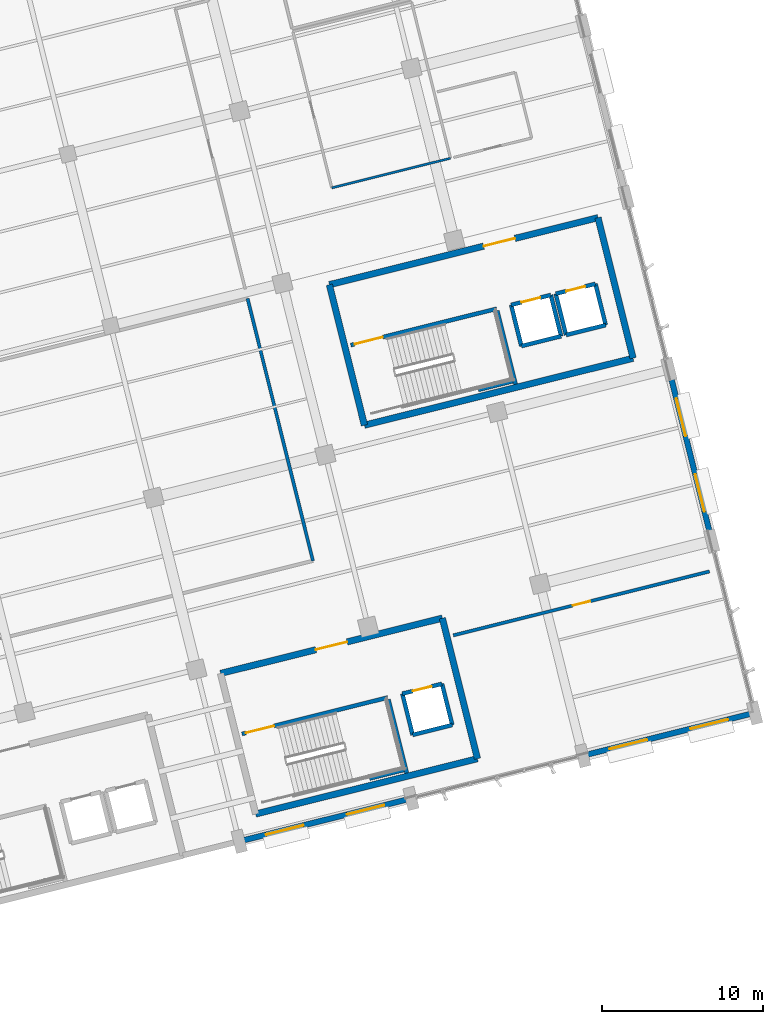
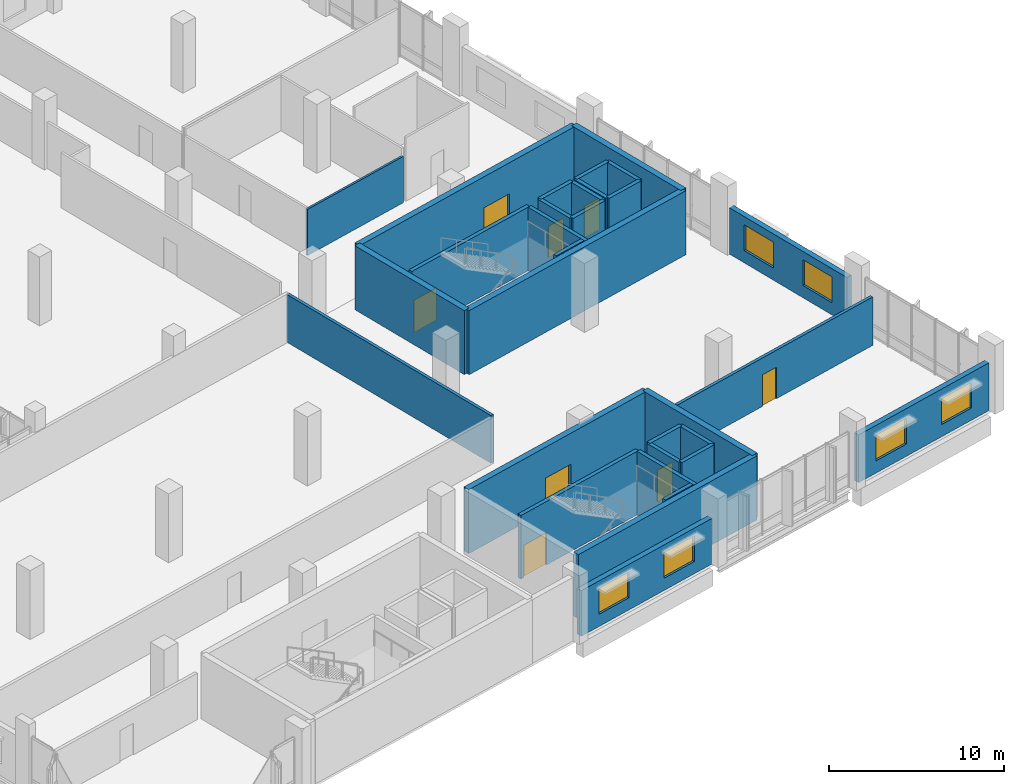
# One storey, part 124 of 137: 31 walls, 8 doors, 6 windows, 14 openings.
"""IFC4 building model written with IfcOpenShell, lengths in metres."""

from ifc_helpers import new_model, si_unit, direction, frame, frame_2d, origin, place, context, subcontext, project, spatial, rectangle, extrude, material, layer, layer_set, type_object, element, fill, save


model = new_model("IFC4")

# Units and contexts
model_context = context("Model", 3, precision=1e-05, world=origin(), true_north=direction((0.0, 1.0)))
body_context = subcontext(model_context, "Body", "Model", "MODEL_VIEW")
ifc_project = project(units=[si_unit("LENGTHUNIT", "METRE"), si_unit("AREAUNIT", "SQUARE_METRE"), si_unit("VOLUMEUNIT", "CUBIC_METRE"), si_unit("PLANEANGLEUNIT", "RADIAN"), si_unit("MASSUNIT", "GRAM", prefix="KILO")], contexts=[model_context])

# Site, building, storey
site_placement = place(None, origin())
site = spatial("IfcSite", under=ifc_project, at=site_placement, CompositionType="ELEMENT")
building_placement = place(site_placement, origin())
building = spatial("IfcBuilding", under=site, at=building_placement, Name="Khorjan Park Terminus", CompositionType="ELEMENT")
storey_placement = place(building_placement, frame((0.0, 0.0, 11.4)))
storey = spatial("IfcBuildingStorey", under=building, at=storey_placement, Name="L02", CompositionType="ELEMENT", Elevation=11.4)

# Walls
ifc_material_1 = material(Name="Concrete C50/60", Category="concrete")
ifc_layer_1 = layer(ifc_material_1, 0.4)
ifc_layer_set_1 = layer_set([ifc_layer_1], Name="Concrete C50/60")
wall_type_1 = type_object("IfcWallType", Name="CW-40", PredefinedType="SHEAR", material=ifc_layer_set_1)
wall_1_placement = place(storey_placement, frame((205.7973, 35.8328, 0.0), z_axis=(0.0, 0.0, 1.0), x_axis=(0.970295179998, 0.241924086589, 0.0)))
element("IfcWall", 1, at=wall_1_placement, inside=storey, type_object=wall_type_1, Name="Operations North-East Firefighting Core concrete shear wall CW-40 (L02-E1)", PredefinedType="SHEAR", context=body_context, shape_type="SweptSolid", body=[
    extrude(rectangle(XDim=17.2, YDim=0.4, at=frame_2d((8.6, 0.0))), origin(), (0.0, 0.0, 1.0), 4.46),
])
wall_2_placement = place(storey_placement, frame((222.4864, 39.9939, 0.0), z_axis=(0.0, 0.0, 1.0), x_axis=(-0.241923808098, 0.970295249435, 0.0)))
element("IfcWall", 2, at=wall_2_placement, inside=storey, type_object=wall_type_1, Name="Operations North-East Firefighting Core concrete shear wall CW-40 (L02-E2)", PredefinedType="SHEAR", context=body_context, shape_type="SweptSolid", body=[
    extrude(rectangle(XDim=8.9999, YDim=0.4, at=frame_2d((4.5, 0.0))), origin(), (0.0, 0.0, 1.0), 4.46),
])

# Wall, opening, door
wall_3_placement = place(storey_placement, frame((220.3091, 48.7265, 0.0), z_axis=(0.0, 0.0, 1.0), x_axis=(-0.970296544738, -0.241918612906, 0.0)))
wall_3 = element("IfcWall", 3, at=wall_3_placement, inside=storey, type_object=wall_type_1, Name="Operations North-East Firefighting Core concrete shear wall CW-40 (L02-E3)", PredefinedType="SHEAR", context=body_context, shape_type="SweptSolid", body=[
    extrude(rectangle(XDim=17.2, YDim=0.4, at=frame_2d((8.6, 0.0))), origin(), (0.0, 0.0, 1.0), 4.46),
])
opening_1_placement = place(wall_3_placement, frame((5.32, 0.0, 0.0)))
opening_1 = element("IfcOpeningElement", 4, at=opening_1_placement, cuts=wall_3, Name="Opening FD-20", PredefinedType="OPENING", context=body_context, shape_type="SweptSolid", body=[
    extrude(rectangle(XDim=2.0, YDim=2.3, at=frame_2d((1.0, 1.15))), frame((0.0, 0.21, 0.0), z_axis=(0.0, -1.0, 0.0), x_axis=(1.0, 0.0, 0.0)), (0.0, 0.0, 1.0), 0.42),
])
ifc_material_2 = material(Name="Fire-Rated Steel Double Door", Category="steel")
door_type_1 = type_object("IfcDoorType", Name="FD-20", OperationType="NOTDEFINED", PredefinedType="DOOR", material=ifc_material_2)
door_1_placement = place(opening_1_placement, origin())
door_1 = element("IfcDoor", 5, at=door_1_placement, inside=storey, type_object=door_type_1, Name="Operations North-East Firefighting Core fire-rated exit door FD-20 (L02)", OperationType="DOUBLE_DOOR_SINGLE_SWING", OverallHeight=2.3, OverallWidth=2.0, PredefinedType="DOOR", context=body_context, shape_type="SweptSolid", body=[
    extrude(rectangle(XDim=2.0, YDim=2.3, at=frame_2d((1.0, 1.15))), frame((0.0, 0.025, 0.0), z_axis=(0.0, -1.0, 0.0), x_axis=(1.0, 0.0, 0.0)), (0.0, 0.0, 1.0), 0.05),
])
fill(opening_1, door_1)

# Walls
wall_4_placement = place(storey_placement, frame((203.62, 44.5655, 0.0), z_axis=(0.0, 0.0, 1.0), x_axis=(0.241921199913, -0.97029589973, 0.0)))
element("IfcWall", 6, at=wall_4_placement, inside=storey, type_object=wall_type_1, Name="Operations North-East Firefighting Core concrete shear wall CW-40 (L02-E4)", PredefinedType="SHEAR", context=body_context, shape_type="SweptSolid", body=[
    extrude(rectangle(XDim=9.0, YDim=0.4, at=frame_2d((4.5, 0.0))), origin(), (0.0, 0.0, 1.0), 4.46),
])
wall_5_placement = place(storey_placement, frame((199.0395, 11.6805, 0.0), z_axis=(0.0, 0.0, 1.0), x_axis=(0.970295578967, 0.241922486422, 0.0)))
element("IfcWall", 7, at=wall_5_placement, inside=storey, type_object=wall_type_1, Name="Operations Central Command Core concrete shear wall CW-40 (L02-E1)", PredefinedType="SHEAR", context=body_context, shape_type="SweptSolid", body=[
    extrude(rectangle(XDim=14.2, YDim=0.4, at=frame_2d((7.1, 0.0))), origin(), (0.0, 0.0, 1.0), 4.46),
])
wall_6_placement = place(storey_placement, frame((212.8177, 15.1158, 0.0), z_axis=(0.0, 0.0, 1.0), x_axis=(-0.241921199913, 0.97029589973, 0.0)))
element("IfcWall", 8, at=wall_6_placement, inside=storey, type_object=wall_type_1, Name="Operations Central Command Core concrete shear wall CW-40 (L02-E2)", PredefinedType="SHEAR", context=body_context, shape_type="SweptSolid", body=[
    extrude(rectangle(XDim=9.0, YDim=0.4, at=frame_2d((4.5, 0.0))), origin(), (0.0, 0.0, 1.0), 4.46),
])

# Wall, opening, door
wall_7_placement = place(storey_placement, frame((210.6404, 23.8485, 0.0), z_axis=(0.0, 0.0, 1.0), x_axis=(-0.970295578967, -0.241922486422, 0.0)))
wall_7 = element("IfcWall", 9, at=wall_7_placement, inside=storey, type_object=wall_type_1, Name="Operations Central Command Core concrete shear wall CW-40 (L02-E3)", PredefinedType="SHEAR", context=body_context, shape_type="SweptSolid", body=[
    extrude(rectangle(XDim=14.2, YDim=0.4, at=frame_2d((7.1, 0.0))), origin(), (0.0, 0.0, 1.0), 4.46),
])
opening_2_placement = place(wall_7_placement, frame((6.1, 0.0, 0.0)))
opening_2 = element("IfcOpeningElement", 10, at=opening_2_placement, cuts=wall_7, Name="Opening FD-20", PredefinedType="OPENING", context=body_context, shape_type="SweptSolid", body=[
    extrude(rectangle(XDim=2.0, YDim=2.3, at=frame_2d((1.0, 1.15))), frame((0.0, 0.21, 0.0), z_axis=(0.0, -1.0, 0.0), x_axis=(1.0, 0.0, 0.0)), (0.0, 0.0, 1.0), 0.42),
])
door_2_placement = place(opening_2_placement, origin())
door_2 = element("IfcDoor", 11, at=door_2_placement, inside=storey, type_object=door_type_1, Name="Operations Central Command Core fire-rated exit door FD-20 (L02)", OperationType="DOUBLE_DOOR_SINGLE_SWING", OverallHeight=2.3, OverallWidth=2.0, PredefinedType="DOOR", context=body_context, shape_type="SweptSolid", body=[
    extrude(rectangle(XDim=2.0, YDim=2.3, at=frame_2d((1.0, 1.15))), frame((0.0, 0.025, 0.0), z_axis=(0.0, -1.0, 0.0), x_axis=(1.0, 0.0, 0.0)), (0.0, 0.0, 1.0), 0.05),
])
fill(opening_2, door_2)

# Wall, openings, windows
ifc_material_3 = material(Name="Pigmented Precast GRC & Concrete C40/50", Category="concrete")
ifc_layer_2 = layer(ifc_material_3, 0.35)
ifc_layer_set_2 = layer_set([ifc_layer_2], Name="Pigmented Precast GRC & Concrete C40/50")
wall_type_2 = type_object("IfcWallType", Name="EW-35", PredefinedType="STANDARD", material=ifc_layer_set_2)
wall_8_placement = place(storey_placement, frame((198.3255, 10.0596, 0.0), z_axis=(0.0, 0.0, 1.0), x_axis=(0.970293766674, 0.241929755, 0.0)))
wall_8 = element("IfcWall", 12, at=wall_8_placement, inside=storey, type_object=wall_type_2, Name="External pigmented-GRC insulated wall EW-35 (EW-V5-S-L02-B04)", PredefinedType="STANDARD", context=body_context, shape_type="SweptSolid", body=[
    extrude(rectangle(XDim=10.37, YDim=0.35, at=frame_2d((5.185, 0.0))), origin(), (0.0, 0.0, 1.0), 3.175),
])
opening_3_placement = place(wall_8_placement, frame((1.3925, 0.0, 0.85)))
opening_3 = element("IfcOpeningElement", 13, at=opening_3_placement, cuts=wall_8, Name="Opening WN-24", PredefinedType="OPENING", context=body_context, shape_type="SweptSolid", body=[
    extrude(rectangle(XDim=2.4, YDim=1.8, at=frame_2d((1.2, 0.9))), frame((0.0, 0.185, 0.0), z_axis=(0.0, -1.0, 0.0), x_axis=(1.0, 0.0, 0.0)), (0.0, 0.0, 1.0), 0.37),
])
opening_4_placement = place(wall_8_placement, frame((6.5775, 0.0, 0.85)))
opening_4 = element("IfcOpeningElement", 14, at=opening_4_placement, cuts=wall_8, Name="Opening WN-24", PredefinedType="OPENING", context=body_context, shape_type="SweptSolid", body=[
    extrude(rectangle(XDim=2.4, YDim=1.8, at=frame_2d((1.2, 0.9))), frame((0.0, 0.185, 0.0), z_axis=(0.0, -1.0, 0.0), x_axis=(1.0, 0.0, 0.0)), (0.0, 0.0, 1.0), 0.37),
])
ifc_material_4 = material(Name="Anodized Bronze Aluminium & Low-E Glass", Category="aluminium")
window_type = type_object("IfcWindowType", Name="WN-24", PartitioningType="SINGLE_PANEL", PredefinedType="WINDOW", material=ifc_material_4)
window_1_placement = place(opening_3_placement, origin())
window_1 = element("IfcWindow", 15, at=window_1_placement, inside=storey, type_object=window_type, Name="Solar-control exterior window WN-24 (WN-EW-V5-S-L02-B04-1)", OverallHeight=1.8, OverallWidth=2.4, PartitioningType="SINGLE_PANEL", PredefinedType="WINDOW", context=body_context, shape_type="SweptSolid", body=[
    extrude(rectangle(XDim=2.4, YDim=1.8, at=frame_2d((1.2, 0.9))), frame((0.0, 0.03, 0.0), z_axis=(0.0, -1.0, 0.0), x_axis=(1.0, 0.0, 0.0)), (0.0, 0.0, 1.0), 0.06),
])
fill(opening_3, window_1)
window_2_placement = place(opening_4_placement, origin())
window_2 = element("IfcWindow", 16, at=window_2_placement, inside=storey, type_object=window_type, Name="Solar-control exterior window WN-24 (WN-EW-V5-S-L02-B04-2)", OverallHeight=1.8, OverallWidth=2.4, PartitioningType="SINGLE_PANEL", PredefinedType="WINDOW", context=body_context, shape_type="SweptSolid", body=[
    extrude(rectangle(XDim=2.4, YDim=1.8, at=frame_2d((1.2, 0.9))), frame((0.0, 0.03, 0.0), z_axis=(0.0, -1.0, 0.0), x_axis=(1.0, 0.0, 0.0)), (0.0, 0.0, 1.0), 0.06),
])
fill(opening_4, window_2)

wall_9_placement = place(storey_placement, frame((219.6717, 15.3819, 0.0), z_axis=(0.0, 0.0, 1.0), x_axis=(0.970298281521, 0.241911646842, 0.0)))
wall_9 = element("IfcWall", 17, at=wall_9_placement, inside=storey, type_object=wall_type_2, Name="External pigmented-GRC insulated wall EW-35 (EW-V5-S-L02-B06)", PredefinedType="STANDARD", context=body_context, shape_type="SweptSolid", body=[
    extrude(rectangle(XDim=10.3707, YDim=0.35, at=frame_2d((5.1853, 0.0))), origin(), (0.0, 0.0, 1.0), 3.325),
])
opening_5_placement = place(wall_9_placement, frame((1.3927, 0.0, 0.85)))
opening_5 = element("IfcOpeningElement", 18, at=opening_5_placement, cuts=wall_9, Name="Opening WN-24", PredefinedType="OPENING", context=body_context, shape_type="SweptSolid", body=[
    extrude(rectangle(XDim=2.4, YDim=1.8, at=frame_2d((1.2, 0.9))), frame((0.0, 0.185, 0.0), z_axis=(0.0, -1.0, 0.0), x_axis=(1.0, 0.0, 0.0)), (0.0, 0.0, 1.0), 0.37),
])
opening_6_placement = place(wall_9_placement, frame((6.578, 0.0, 0.85)))
opening_6 = element("IfcOpeningElement", 19, at=opening_6_placement, cuts=wall_9, Name="Opening WN-24", PredefinedType="OPENING", context=body_context, shape_type="SweptSolid", body=[
    extrude(rectangle(XDim=2.4, YDim=1.8, at=frame_2d((1.2, 0.9))), frame((0.0, 0.185, 0.0), z_axis=(0.0, -1.0, 0.0), x_axis=(1.0, 0.0, 0.0)), (0.0, 0.0, 1.0), 0.37),
])
window_3_placement = place(opening_5_placement, origin())
window_3 = element("IfcWindow", 20, at=window_3_placement, inside=storey, type_object=window_type, Name="Solar-control exterior window WN-24 (WN-EW-V5-S-L02-B06-1)", OverallHeight=1.8, OverallWidth=2.4, PartitioningType="SINGLE_PANEL", PredefinedType="WINDOW", context=body_context, shape_type="SweptSolid", body=[
    extrude(rectangle(XDim=2.4, YDim=1.8, at=frame_2d((1.2, 0.9))), frame((0.0, 0.03, 0.0), z_axis=(0.0, -1.0, 0.0), x_axis=(1.0, 0.0, 0.0)), (0.0, 0.0, 1.0), 0.06),
])
fill(opening_5, window_3)
window_4_placement = place(opening_6_placement, origin())
window_4 = element("IfcWindow", 21, at=window_4_placement, inside=storey, type_object=window_type, Name="Solar-control exterior window WN-24 (WN-EW-V5-S-L02-B06-2)", OverallHeight=1.8, OverallWidth=2.4, PartitioningType="SINGLE_PANEL", PredefinedType="WINDOW", context=body_context, shape_type="SweptSolid", body=[
    extrude(rectangle(XDim=2.4, YDim=1.8, at=frame_2d((1.2, 0.9))), frame((0.0, 0.03, 0.0), z_axis=(0.0, -1.0, 0.0), x_axis=(1.0, 0.0, 0.0)), (0.0, 0.0, 1.0), 0.06),
])
fill(opening_6, window_4)

wall_10_placement = place(storey_placement, frame((227.2175, 29.2853, 0.0), z_axis=(0.0, 0.0, 1.0), x_axis=(-0.241919949636, 0.970296211457, 0.0)))
wall_10 = element("IfcWall", 22, at=wall_10_placement, inside=storey, type_object=wall_type_2, Name="External pigmented-GRC insulated wall EW-35 (EW-V5-E-L02-B02)", PredefinedType="STANDARD", context=body_context, shape_type="SweptSolid", body=[
    extrude(rectangle(XDim=9.6697, YDim=0.35, at=frame_2d((4.8349, 0.0))), origin(), (0.0, 0.0, 1.0), 3.225),
])
opening_7_placement = place(wall_10_placement, frame((1.2174, 0.0, 0.85)))
opening_7 = element("IfcOpeningElement", 23, at=opening_7_placement, cuts=wall_10, Name="Opening WN-24", PredefinedType="OPENING", context=body_context, shape_type="SweptSolid", body=[
    extrude(rectangle(XDim=2.4, YDim=1.8, at=frame_2d((1.2, 0.9))), frame((0.0, 0.185, 0.0), z_axis=(0.0, -1.0, 0.0), x_axis=(1.0, 0.0, 0.0)), (0.0, 0.0, 1.0), 0.37),
])
opening_8_placement = place(wall_10_placement, frame((6.0523, 0.0, 0.85)))
opening_8 = element("IfcOpeningElement", 24, at=opening_8_placement, cuts=wall_10, Name="Opening WN-24", PredefinedType="OPENING", context=body_context, shape_type="SweptSolid", body=[
    extrude(rectangle(XDim=2.4, YDim=1.8, at=frame_2d((1.2, 0.9))), frame((0.0, 0.185, 0.0), z_axis=(0.0, -1.0, 0.0), x_axis=(1.0, 0.0, 0.0)), (0.0, 0.0, 1.0), 0.37),
])
window_5_placement = place(opening_7_placement, origin())
window_5 = element("IfcWindow", 25, at=window_5_placement, inside=storey, type_object=window_type, Name="Solar-control exterior window WN-24 (WN-EW-V5-E-L02-B02-1)", OverallHeight=1.8, OverallWidth=2.4, PartitioningType="SINGLE_PANEL", PredefinedType="WINDOW", context=body_context, shape_type="SweptSolid", body=[
    extrude(rectangle(XDim=2.4, YDim=1.8, at=frame_2d((1.2, 0.9))), frame((0.0, 0.03, 0.0), z_axis=(0.0, -1.0, 0.0), x_axis=(1.0, 0.0, 0.0)), (0.0, 0.0, 1.0), 0.06),
])
fill(opening_7, window_5)
window_6_placement = place(opening_8_placement, origin())
window_6 = element("IfcWindow", 26, at=window_6_placement, inside=storey, type_object=window_type, Name="Solar-control exterior window WN-24 (WN-EW-V5-E-L02-B02-2)", OverallHeight=1.8, OverallWidth=2.4, PartitioningType="SINGLE_PANEL", PredefinedType="WINDOW", context=body_context, shape_type="SweptSolid", body=[
    extrude(rectangle(XDim=2.4, YDim=1.8, at=frame_2d((1.2, 0.9))), frame((0.0, 0.03, 0.0), z_axis=(0.0, -1.0, 0.0), x_axis=(1.0, 0.0, 0.0)), (0.0, 0.0, 1.0), 0.06),
])
fill(opening_8, window_6)

# Wall
ifc_material_5 = material(Name="Moisture-Resistant Sanitary Partition")
ifc_layer_3 = layer(ifc_material_5, 0.14)
ifc_layer_set_3 = layer_set([ifc_layer_3], Name="Moisture-Resistant Sanitary Partition")
wall_type_3 = type_object("IfcWallType", Name="PT-14", PredefinedType="PARTITIONING", material=ifc_layer_set_3)
wall_11_placement = place(storey_placement, frame((211.1435, 52.4189, 0.0), z_axis=(0.0, 0.0, 1.0), x_axis=(-0.970295558209, -0.241922569678, 0.0)))
element("IfcWall", 27, at=wall_11_placement, inside=storey, type_object=wall_type_3, Name="Interior acoustic partition PT-14 (L02-SWC2)", PredefinedType="PARTITIONING", context=body_context, shape_type="SweptSolid", body=[
    extrude(rectangle(XDim=7.6, YDim=0.14, at=frame_2d((3.8, 0.0))), origin(), (0.0, 0.0, 1.0), 3.225),
])

# Wall, opening, door
ifc_material_6 = material(Name="Fire-Rated Acoustic Masonry & Drywall", Category="masonry")
ifc_layer_4 = layer(ifc_material_6, 0.2)
ifc_layer_set_4 = layer_set([ifc_layer_4], Name="Fire-Rated Acoustic Masonry & Drywall")
wall_type_4 = type_object("IfcWallType", Name="PT-20", PredefinedType="PARTITIONING", material=ifc_layer_set_4)
wall_12_placement = place(storey_placement, frame((211.3188, 22.7809, 0.0), z_axis=(0.0, 0.0, 1.0), x_axis=(0.970296178232, 0.241920082897, 0.0)))
wall_12 = element("IfcWall", 28, at=wall_12_placement, inside=storey, type_object=wall_type_4, Name="Interior acoustic partition PT-20 (L02-UPS)", PredefinedType="PARTITIONING", context=body_context, shape_type="SweptSolid", body=[
    extrude(rectangle(XDim=16.4, YDim=0.2, at=frame_2d((8.2, 0.0))), origin(), (0.0, 0.0, 1.0), 3.375),
])
opening_9_placement = place(wall_12_placement, frame((7.65, 0.0, 0.0)))
opening_9 = element("IfcOpeningElement", 29, at=opening_9_placement, cuts=wall_12, Name="Opening FD-11", PredefinedType="OPENING", context=body_context, shape_type="SweptSolid", body=[
    extrude(rectangle(XDim=1.1, YDim=2.2, at=frame_2d((0.55, 1.1))), frame((0.0, 0.11, 0.0), z_axis=(0.0, -1.0, 0.0), x_axis=(1.0, 0.0, 0.0)), (0.0, 0.0, 1.0), 0.22),
])
ifc_material_7 = material(Name="Fire-Rated Steel Single Door", Category="steel")
door_type_2 = type_object("IfcDoorType", Name="FD-11", OperationType="NOTDEFINED", PredefinedType="DOOR", material=ifc_material_7)
door_3_placement = place(opening_9_placement, origin())
door_3 = element("IfcDoor", 30, at=door_3_placement, inside=storey, type_object=door_type_2, Name="Interior door FD-11 (L02-UPS)", OperationType="SINGLE_SWING_RIGHT", OverallHeight=2.2, OverallWidth=1.1, PredefinedType="DOOR", context=body_context, shape_type="SweptSolid", body=[
    extrude(rectangle(XDim=1.1, YDim=2.2, at=frame_2d((0.55, 1.1))), frame((0.0, 0.025, 0.0), z_axis=(0.0, -1.0, 0.0), x_axis=(1.0, 0.0, 0.0)), (0.0, 0.0, 1.0), 0.05),
])
fill(opening_9, door_3)

# Walls
wall_13_placement = place(storey_placement, frame((198.5359, 43.7101, 0.0), z_axis=(0.0, 0.0, 1.0), x_axis=(0.241923529648, -0.97029531886, 0.0)))
element("IfcWall", 31, at=wall_13_placement, inside=storey, type_object=wall_type_4, Name="Interior acoustic partition PT-20 (L02-TEL)", PredefinedType="PARTITIONING", context=body_context, shape_type="SweptSolid", body=[
    extrude(rectangle(XDim=16.7999, YDim=0.2, at=frame_2d((8.4, 0.0))), origin(), (0.0, 0.0, 1.0), 3.325),
])
ifc_material_8 = material(Name="Concrete C40/50", Category="concrete")
ifc_layer_5 = layer(ifc_material_8, 0.25)
ifc_layer_set_5 = layer_set([ifc_layer_5], Name="Concrete C40/50")
wall_type_5 = type_object("IfcWallType", Name="SW-25", PredefinedType="SOLIDWALL", material=ifc_layer_set_5)
wall_14_placement = place(storey_placement, frame((215.548, 40.7477, 0.0), z_axis=(0.0, 0.0, 1.0), x_axis=(0.97029284861, 0.241933436994, 0.0)))
element("IfcWall", 32, at=wall_14_placement, inside=storey, type_object=wall_type_5, Name="Lift L07 concrete shaft wall SW-25 (L02-1)", PredefinedType="SOLIDWALL", context=body_context, shape_type="SweptSolid", body=[
    extrude(rectangle(XDim=2.54, YDim=0.25, at=frame_2d((1.27, 0.0))), origin(), (0.0, 0.0, 1.0), 4.46),
])
wall_15_placement = place(storey_placement, frame((218.0125, 41.3622, 0.0), z_axis=(0.0, 0.0, 1.0), x_axis=(-0.241938414856, 0.970291607413, 0.0)))
element("IfcWall", 33, at=wall_15_placement, inside=storey, type_object=wall_type_5, Name="Lift L07 concrete shaft wall SW-25 (L02-2)", PredefinedType="SOLIDWALL", context=body_context, shape_type="SweptSolid", body=[
    extrude(rectangle(XDim=2.6399, YDim=0.25, at=frame_2d((1.3199, 0.0))), origin(), (0.0, 0.0, 1.0), 4.46),
])

# Wall, opening, door
wall_16_placement = place(storey_placement, frame((217.3738, 43.9237, 0.0), z_axis=(0.0, 0.0, 1.0), x_axis=(-0.97029284861, -0.241933436994, 0.0)))
wall_16 = element("IfcWall", 34, at=wall_16_placement, inside=storey, type_object=wall_type_5, Name="Lift L07 concrete shaft wall SW-25 (L02-3)", PredefinedType="SOLIDWALL", context=body_context, shape_type="SweptSolid", body=[
    extrude(rectangle(XDim=2.54, YDim=0.25, at=frame_2d((1.27, 0.0))), origin(), (0.0, 0.0, 1.0), 4.46),
])
opening_10_placement = place(wall_16_placement, frame((0.67, 0.0, 0.0)))
opening_10 = element("IfcOpeningElement", 35, at=opening_10_placement, cuts=wall_16, Name="Opening LD-12", PredefinedType="OPENING", context=body_context, shape_type="SweptSolid", body=[
    extrude(rectangle(XDim=1.2, YDim=2.2, at=frame_2d((0.6, 1.1))), frame((0.0, 0.135, 0.0), z_axis=(0.0, -1.0, 0.0), x_axis=(1.0, 0.0, 0.0)), (0.0, 0.0, 1.0), 0.27),
])
ifc_material_9 = material(Name="Stainless-Steel Lift Landing Sliding Door", Category="steel")
door_type_3 = type_object("IfcDoorType", Name="LD-12", OperationType="NOTDEFINED", PredefinedType="DOOR", material=ifc_material_9)
door_4_placement = place(opening_10_placement, origin())
door_4 = element("IfcDoor", 36, at=door_4_placement, inside=storey, type_object=door_type_3, Name="Lift L07 sliding landing door LD-12 (L02)", OperationType="SLIDING_TO_LEFT", OverallHeight=2.2, OverallWidth=1.2, PredefinedType="DOOR", context=body_context, shape_type="SweptSolid", body=[
    extrude(rectangle(XDim=1.2, YDim=2.2, at=frame_2d((0.6, 1.1))), frame((0.0, 0.025, 0.0), z_axis=(0.0, -1.0, 0.0), x_axis=(1.0, 0.0, 0.0)), (0.0, 0.0, 1.0), 0.05),
])
fill(opening_10, door_4)

# Walls
wall_17_placement = place(storey_placement, frame((214.9093, 43.3092, 0.0), z_axis=(0.0, 0.0, 1.0), x_axis=(0.241938414856, -0.970291607413, 0.0)))
element("IfcWall", 37, at=wall_17_placement, inside=storey, type_object=wall_type_5, Name="Lift L07 concrete shaft wall SW-25 (L02-4)", PredefinedType="SOLIDWALL", context=body_context, shape_type="SweptSolid", body=[
    extrude(rectangle(XDim=2.6399, YDim=0.25, at=frame_2d((1.3199, 0.0))), origin(), (0.0, 0.0, 1.0), 4.46),
])
wall_18_placement = place(storey_placement, frame((218.323, 41.4396, 0.0), z_axis=(0.0, 0.0, 1.0), x_axis=(0.97029284861, 0.241933436994, 0.0)))
element("IfcWall", 38, at=wall_18_placement, inside=storey, type_object=wall_type_5, Name="Lift L08 concrete shaft wall SW-25 (L02-1)", PredefinedType="SOLIDWALL", context=body_context, shape_type="SweptSolid", body=[
    extrude(rectangle(XDim=2.54, YDim=0.25, at=frame_2d((1.27, 0.0))), origin(), (0.0, 0.0, 1.0), 4.46),
])
wall_19_placement = place(storey_placement, frame((220.7875, 42.0541, 0.0), z_axis=(0.0, 0.0, 1.0), x_axis=(-0.241938414856, 0.970291607413, 0.0)))
element("IfcWall", 39, at=wall_19_placement, inside=storey, type_object=wall_type_5, Name="Lift L08 concrete shaft wall SW-25 (L02-2)", PredefinedType="SOLIDWALL", context=body_context, shape_type="SweptSolid", body=[
    extrude(rectangle(XDim=2.6399, YDim=0.25, at=frame_2d((1.3199, 0.0))), origin(), (0.0, 0.0, 1.0), 4.46),
])

# Wall, opening, door
wall_20_placement = place(storey_placement, frame((220.1488, 44.6156, 0.0), z_axis=(0.0, 0.0, 1.0), x_axis=(-0.97029284861, -0.241933436994, 0.0)))
wall_20 = element("IfcWall", 40, at=wall_20_placement, inside=storey, type_object=wall_type_5, Name="Lift L08 concrete shaft wall SW-25 (L02-3)", PredefinedType="SOLIDWALL", context=body_context, shape_type="SweptSolid", body=[
    extrude(rectangle(XDim=2.54, YDim=0.25, at=frame_2d((1.27, 0.0))), origin(), (0.0, 0.0, 1.0), 4.46),
])
opening_11_placement = place(wall_20_placement, frame((0.67, 0.0, 0.0)))
opening_11 = element("IfcOpeningElement", 41, at=opening_11_placement, cuts=wall_20, Name="Opening LD-12", PredefinedType="OPENING", context=body_context, shape_type="SweptSolid", body=[
    extrude(rectangle(XDim=1.2, YDim=2.2, at=frame_2d((0.6, 1.1))), frame((0.0, 0.135, 0.0), z_axis=(0.0, -1.0, 0.0), x_axis=(1.0, 0.0, 0.0)), (0.0, 0.0, 1.0), 0.27),
])
door_5_placement = place(opening_11_placement, origin())
door_5 = element("IfcDoor", 42, at=door_5_placement, inside=storey, type_object=door_type_3, Name="Lift L08 sliding landing door LD-12 (L02)", OperationType="SLIDING_TO_RIGHT", OverallHeight=2.2, OverallWidth=1.2, PredefinedType="DOOR", context=body_context, shape_type="SweptSolid", body=[
    extrude(rectangle(XDim=1.2, YDim=2.2, at=frame_2d((0.6, 1.1))), frame((0.0, 0.025, 0.0), z_axis=(0.0, -1.0, 0.0), x_axis=(1.0, 0.0, 0.0)), (0.0, 0.0, 1.0), 0.05),
])
fill(opening_11, door_5)

# Walls
wall_21_placement = place(storey_placement, frame((217.6843, 44.0011, 0.0), z_axis=(0.0, 0.0, 1.0), x_axis=(0.241938414856, -0.970291607413, 0.0)))
element("IfcWall", 43, at=wall_21_placement, inside=storey, type_object=wall_type_5, Name="Lift L08 concrete shaft wall SW-25 (L02-4)", PredefinedType="SOLIDWALL", context=body_context, shape_type="SweptSolid", body=[
    extrude(rectangle(XDim=2.6399, YDim=0.25, at=frame_2d((1.3199, 0.0))), origin(), (0.0, 0.0, 1.0), 4.46),
])
wall_22_placement = place(storey_placement, frame((208.7902, 16.5954, 0.0), z_axis=(0.0, 0.0, 1.0), x_axis=(0.97029284861, 0.241933436994, 0.0)))
element("IfcWall", 44, at=wall_22_placement, inside=storey, type_object=wall_type_5, Name="Lift L12 concrete shaft wall SW-25 (L02-1)", PredefinedType="SOLIDWALL", context=body_context, shape_type="SweptSolid", body=[
    extrude(rectangle(XDim=2.54, YDim=0.25, at=frame_2d((1.27, 0.0))), origin(), (0.0, 0.0, 1.0), 4.46),
])
wall_23_placement = place(storey_placement, frame((211.2547, 17.2099, 0.0), z_axis=(0.0, 0.0, 1.0), x_axis=(-0.241938414856, 0.970291607413, 0.0)))
element("IfcWall", 45, at=wall_23_placement, inside=storey, type_object=wall_type_5, Name="Lift L12 concrete shaft wall SW-25 (L02-2)", PredefinedType="SOLIDWALL", context=body_context, shape_type="SweptSolid", body=[
    extrude(rectangle(XDim=2.6399, YDim=0.25, at=frame_2d((1.3199, 0.0))), origin(), (0.0, 0.0, 1.0), 4.46),
])

# Wall, opening, door
wall_24_placement = place(storey_placement, frame((210.616, 19.7714, 0.0), z_axis=(0.0, 0.0, 1.0), x_axis=(-0.97029284861, -0.241933436994, 0.0)))
wall_24 = element("IfcWall", 46, at=wall_24_placement, inside=storey, type_object=wall_type_5, Name="Lift L12 concrete shaft wall SW-25 (L02-3)", PredefinedType="SOLIDWALL", context=body_context, shape_type="SweptSolid", body=[
    extrude(rectangle(XDim=2.54, YDim=0.25, at=frame_2d((1.27, 0.0))), origin(), (0.0, 0.0, 1.0), 4.46),
])
opening_12_placement = place(wall_24_placement, frame((0.67, 0.0, 0.0)))
opening_12 = element("IfcOpeningElement", 47, at=opening_12_placement, cuts=wall_24, Name="Opening LD-12", PredefinedType="OPENING", context=body_context, shape_type="SweptSolid", body=[
    extrude(rectangle(XDim=1.2, YDim=2.2, at=frame_2d((0.6, 1.1))), frame((0.0, 0.135, 0.0), z_axis=(0.0, -1.0, 0.0), x_axis=(1.0, 0.0, 0.0)), (0.0, 0.0, 1.0), 0.27),
])
door_6_placement = place(opening_12_placement, origin())
door_6 = element("IfcDoor", 48, at=door_6_placement, inside=storey, type_object=door_type_3, Name="Lift L12 sliding landing door LD-12 (L02)", OperationType="SLIDING_TO_LEFT", OverallHeight=2.2, OverallWidth=1.2, PredefinedType="DOOR", context=body_context, shape_type="SweptSolid", body=[
    extrude(rectangle(XDim=1.2, YDim=2.2, at=frame_2d((0.6, 1.1))), frame((0.0, 0.025, 0.0), z_axis=(0.0, -1.0, 0.0), x_axis=(1.0, 0.0, 0.0)), (0.0, 0.0, 1.0), 0.05),
])
fill(opening_12, door_6)

# Wall
wall_25_placement = place(storey_placement, frame((208.1515, 19.1569, 0.0), z_axis=(0.0, 0.0, 1.0), x_axis=(0.241938414856, -0.970291607413, 0.0)))
element("IfcWall", 49, at=wall_25_placement, inside=storey, type_object=wall_type_5, Name="Lift L12 concrete shaft wall SW-25 (L02-4)", PredefinedType="SOLIDWALL", context=body_context, shape_type="SweptSolid", body=[
    extrude(rectangle(XDim=2.6399, YDim=0.25, at=frame_2d((1.3199, 0.0))), origin(), (0.0, 0.0, 1.0), 4.46),
])

# Wall, opening, door
wall_26_placement = place(storey_placement, frame((204.9479, 40.8102, 0.0), z_axis=(0.0, 0.0, 1.0), x_axis=(0.970297151331, 0.241916179943, 0.0)))
wall_26 = element("IfcWall", 50, at=wall_26_placement, inside=storey, type_object=wall_type_5, Name="Operations North-East Firefighting Core structural stairwell wall SW-25 (L02)", PredefinedType="SOLIDWALL", context=body_context, shape_type="SweptSolid", body=[
    extrude(rectangle(XDim=9.345, YDim=0.25, at=frame_2d((4.6725, 0.0))), origin(), (0.0, 0.0, 1.0), 4.43),
])
opening_13_placement = place(wall_26_placement, frame((0.25, 0.0, 0.0)))
opening_13 = element("IfcOpeningElement", 51, at=opening_13_placement, cuts=wall_26, Name="Opening FD-18", PredefinedType="OPENING", context=body_context, shape_type="SweptSolid", body=[
    extrude(rectangle(XDim=1.8, YDim=2.25, at=frame_2d((0.9, 1.125))), frame((0.0, 0.135, 0.0), z_axis=(0.0, -1.0, 0.0), x_axis=(1.0, 0.0, 0.0)), (0.0, 0.0, 1.0), 0.27),
])
door_type_4 = type_object("IfcDoorType", Name="FD-18", OperationType="NOTDEFINED", PredefinedType="DOOR", material=ifc_material_2)
door_7_placement = place(opening_13_placement, origin())
door_7 = element("IfcDoor", 52, at=door_7_placement, inside=storey, type_object=door_type_4, Name="Operations North-East Firefighting Core stairwell fire door FD-18 (L02)", OperationType="DOUBLE_DOOR_SINGLE_SWING", OverallHeight=2.25, OverallWidth=1.8, PredefinedType="DOOR", context=body_context, shape_type="SweptSolid", body=[
    extrude(rectangle(XDim=1.8, YDim=2.25, at=frame_2d((0.9, 1.125))), frame((0.0, 0.025, 0.0), z_axis=(0.0, -1.0, 0.0), x_axis=(1.0, 0.0, 0.0)), (0.0, 0.0, 1.0), 0.05),
])
fill(opening_13, door_7)

# Walls
wall_27_placement = place(storey_placement, frame((215.185, 38.3795, 0.0), z_axis=(0.0, 0.0, 1.0), x_axis=(-0.241911120435, 0.970298412763, 0.0)))
element("IfcWall", 53, at=wall_27_placement, inside=storey, type_object=wall_type_5, Name="Operations North-East Firefighting Core stairwell end bearing wall SW-25 (L02)", PredefinedType="SOLIDWALL", context=body_context, shape_type="SweptSolid", body=[
    extrude(rectangle(XDim=4.71, YDim=0.25, at=frame_2d((2.355, 0.0))), origin(), (0.0, 0.0, 1.0), 4.43),
])
wall_28_placement = place(storey_placement, frame((212.8747, 38.0354, 0.0), z_axis=(0.0, 0.0, 1.0), x_axis=(0.97029738597, 0.241915238833, 0.0)))
element("IfcWall", 54, at=wall_28_placement, inside=storey, type_object=wall_type_5, Name="Operations North-East Firefighting Core half-landing bearing wall SW-25 (L02)", PredefinedType="SOLIDWALL", context=body_context, shape_type="SweptSolid", body=[
    extrude(rectangle(XDim=2.1999, YDim=0.25, at=frame_2d((1.0999, 0.0))), origin(), (0.0, 0.0, 1.0), 4.43),
])

# Wall, opening, door
wall_29_placement = place(storey_placement, frame((198.1901, 16.6579, 0.0), z_axis=(0.0, 0.0, 1.0), x_axis=(0.970297151331, 0.241916179943, 0.0)))
wall_29 = element("IfcWall", 55, at=wall_29_placement, inside=storey, type_object=wall_type_5, Name="Operations Central Command Core structural stairwell wall SW-25 (L02)", PredefinedType="SOLIDWALL", context=body_context, shape_type="SweptSolid", body=[
    extrude(rectangle(XDim=9.345, YDim=0.25, at=frame_2d((4.6725, 0.0))), origin(), (0.0, 0.0, 1.0), 4.43),
])
opening_14_placement = place(wall_29_placement, frame((0.25, 0.0, 0.0)))
opening_14 = element("IfcOpeningElement", 56, at=opening_14_placement, cuts=wall_29, Name="Opening FD-18", PredefinedType="OPENING", context=body_context, shape_type="SweptSolid", body=[
    extrude(rectangle(XDim=1.8, YDim=2.25, at=frame_2d((0.9, 1.125))), frame((0.0, 0.135, 0.0), z_axis=(0.0, -1.0, 0.0), x_axis=(1.0, 0.0, 0.0)), (0.0, 0.0, 1.0), 0.27),
])
door_8_placement = place(opening_14_placement, origin())
door_8 = element("IfcDoor", 57, at=door_8_placement, inside=storey, type_object=door_type_4, Name="Operations Central Command Core stairwell fire door FD-18 (L02)", OperationType="DOUBLE_DOOR_SINGLE_SWING", OverallHeight=2.25, OverallWidth=1.8, PredefinedType="DOOR", context=body_context, shape_type="SweptSolid", body=[
    extrude(rectangle(XDim=1.8, YDim=2.25, at=frame_2d((0.9, 1.125))), frame((0.0, 0.025, 0.0), z_axis=(0.0, -1.0, 0.0), x_axis=(1.0, 0.0, 0.0)), (0.0, 0.0, 1.0), 0.05),
])
fill(opening_14, door_8)

# Walls
wall_30_placement = place(storey_placement, frame((208.4272, 14.2272, 0.0), z_axis=(0.0, 0.0, 1.0), x_axis=(-0.241911120435, 0.970298412763, 0.0)))
element("IfcWall", 58, at=wall_30_placement, inside=storey, type_object=wall_type_5, Name="Operations Central Command Core stairwell end bearing wall SW-25 (L02)", PredefinedType="SOLIDWALL", context=body_context, shape_type="SweptSolid", body=[
    extrude(rectangle(XDim=4.71, YDim=0.25, at=frame_2d((2.355, 0.0))), origin(), (0.0, 0.0, 1.0), 4.43),
])
wall_31_placement = place(storey_placement, frame((206.1169, 13.8831, 0.0), z_axis=(0.0, 0.0, 1.0), x_axis=(0.97029738597, 0.241915238833, 0.0)))
element("IfcWall", 59, at=wall_31_placement, inside=storey, type_object=wall_type_5, Name="Operations Central Command Core half-landing bearing wall SW-25 (L02)", PredefinedType="SOLIDWALL", context=body_context, shape_type="SweptSolid", body=[
    extrude(rectangle(XDim=2.1999, YDim=0.25, at=frame_2d((1.0999, 0.0))), origin(), (0.0, 0.0, 1.0), 4.43),
])

save(model, "model.ifc")
